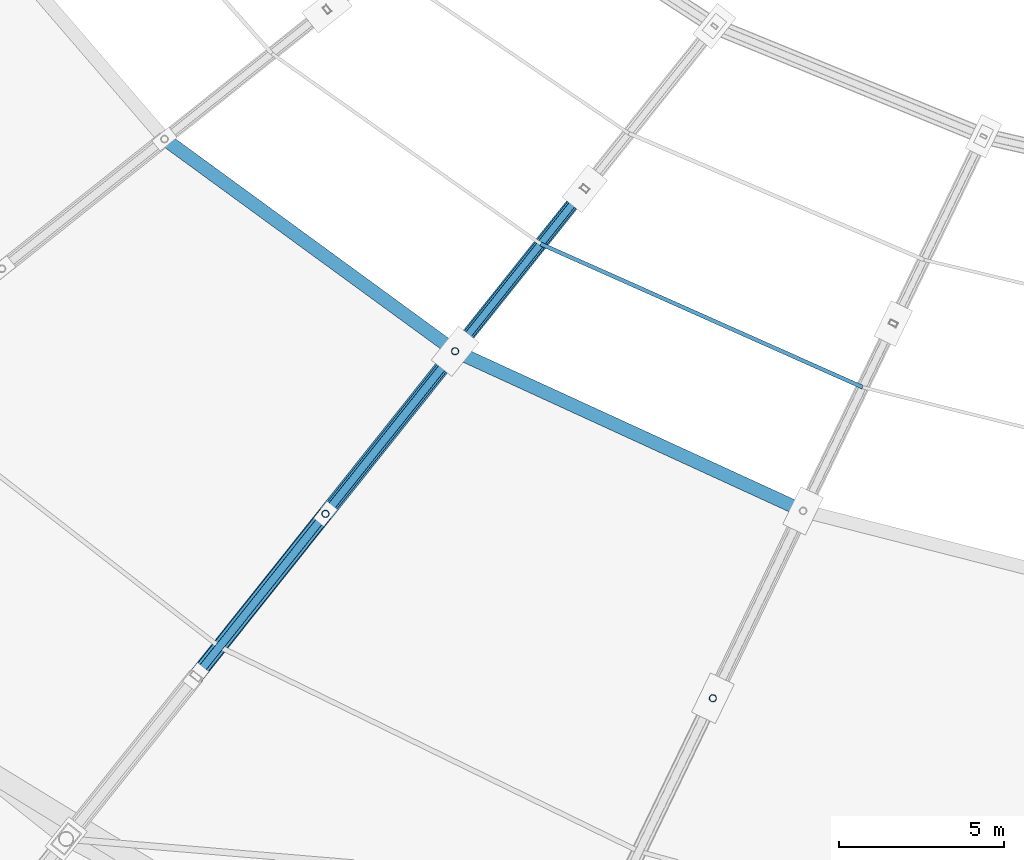
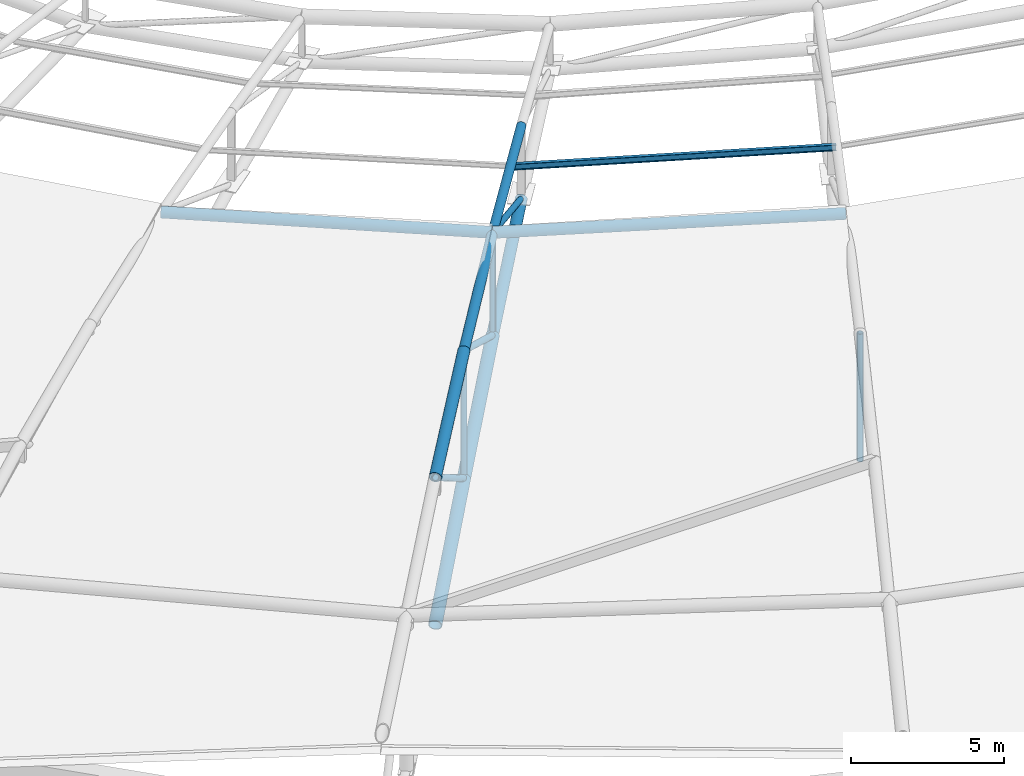
# One storey, part 10 of 108: 15 members.
"""IFC4 building model written with IfcOpenShell, lengths in metres."""

from ifc_helpers import new_model, si_unit, direction, frame, origin, origin_2d, place, context, subcontext, project, spatial, hollow_circle, i_section, extrude, material, material_profile, profile_set, type_object, element, save


model = new_model("IFC4")

# Units and contexts
model_context = context("Model", 3, precision=1e-05, world=origin(), true_north=direction((0.0, 1.0)))
body_context = subcontext(model_context, "Body", "Model", "MODEL_VIEW")
ifc_project = project(units=[si_unit("LENGTHUNIT", "METRE"), si_unit("AREAUNIT", "SQUARE_METRE"), si_unit("VOLUMEUNIT", "CUBIC_METRE"), si_unit("PLANEANGLEUNIT", "RADIAN"), si_unit("MASSUNIT", "GRAM", prefix="KILO")], contexts=[model_context])

# Site, building, storey
site_placement = place(None, origin())
site = spatial("IfcSite", under=ifc_project, at=site_placement, CompositionType="ELEMENT")
building_placement = place(site_placement, origin())
building = spatial("IfcBuilding", under=site, at=building_placement, Name="Zevraka Park Crest Stadium", CompositionType="ELEMENT")
storey_placement = place(building_placement, frame((0.0, 0.0, 29.39990234375)))
storey = spatial("IfcBuildingStorey", under=building, at=storey_placement, Name="RF", CompositionType="ELEMENT", Elevation=29.39990234375)

# Members
ifc_material_1 = material(Name="Steel S355", Category="steel")
ifc_material_profile_1 = material_profile(ifc_material_1, i_section(OverallWidth=0.1201171875, OverallDepth=0.239990234375, WebThickness=0.006103515625, FlangeThickness=0.009765625, at=origin_2d()), Name="IPE 240")
ifc_profile_set_1 = profile_set([ifc_material_profile_1], Name="Steel S355")
member_type_1 = type_object("IfcMemberType", Name="PR01", PredefinedType="PURLIN", material=ifc_profile_set_1)
member_1_placement = place(storey_placement, frame((79.926025390625, 63.509033203125, 9.153076171875), z_axis=(0.913569046429, -0.406683657658, 0.0), x_axis=(0.406683657658, 0.913569046429, 0.0)))
element("IfcMember", 1, at=member_1_placement, inside=storey, type_object=member_type_1, Name="Canopy Roof Purlin PR01 INNER-19-1", PredefinedType="PURLIN", context=body_context, shape_type="SweptSolid", body=[
    extrude(i_section(OverallWidth=0.1201171875, OverallDepth=0.239990234375, WebThickness=0.006103515625, FlangeThickness=0.009765625, at=origin_2d()), origin(), (0.0, 0.0, 1.0), 10.6767578125),
])
ifc_material_2 = material(Name="Steel S355", Category="steel")
ifc_material_profile_2 = material_profile(ifc_material_2, hollow_circle(Radius=0.228515625, WallThickness=0.02490234375, at=origin_2d()), Name="CHS 457.0x25")
ifc_profile_set_2 = profile_set([ifc_material_profile_2], Name="Steel S355")
member_type_2 = type_object("IfcMemberType", Name="TC02", PredefinedType="CHORD", material=ifc_profile_set_2)
member_2_placement = place(storey_placement, frame((69.47802734375, 50.406982421875, 2.4501953125), z_axis=(0.606568918372, 0.760539175233, 0.231634000527), x_axis=(-0.781801834506, 0.623526977414, 0.0)))
element("IfcMember", 2, at=member_2_placement, inside=storey, type_object=member_type_2, Name="Roof Truss Bottom Chord TC02 T19-4", PredefinedType="CHORD", context=body_context, shape_type="SweptSolid", body=[
    extrude(hollow_circle(Radius=0.228515625, WallThickness=0.02490234375, at=origin_2d()), origin(), (0.0, 0.0, 1.0), 6.475830078125),
])
member_3_placement = place(storey_placement, frame((73.406005859375, 55.33203125, 3.9501953125), z_axis=(0.609616801218, 0.764512287785, 0.209495387776), x_axis=(-0.781862092926, 0.623451415626, 0.0)))
element("IfcMember", 3, at=member_3_placement, inside=storey, type_object=member_type_2, Name="Roof Truss Bottom Chord TC02 T19-5", PredefinedType="CHORD", context=body_context, shape_type="SweptSolid", body=[
    extrude(hollow_circle(Radius=0.228515625, WallThickness=0.02490234375, at=origin_2d()), origin(), (0.0, 0.0, 1.0), 6.443359375),
])
ifc_material_3 = material(Name="Steel S355", Category="steel")
ifc_material_profile_3 = material_profile(ifc_material_3, hollow_circle(Radius=0.203125, WallThickness=0.02001953125, at=origin_2d()), Name="CHS 406.4x20")
ifc_profile_set_3 = profile_set([ifc_material_profile_3], Name="Steel S355")
member_type_3 = type_object("IfcMemberType", Name="TC03", PredefinedType="CHORD", material=ifc_profile_set_3)
member_4_placement = place(storey_placement, frame((69.47802734375, 50.406982421875, 8.35009765625), z_axis=(0.619713383644, 0.777020205622, 0.110430621599), x_axis=(-0.781801834506, 0.623526977414, 0.0)))
element("IfcMember", 4, at=member_4_placement, inside=storey, type_object=member_type_3, Name="Roof Truss Top Chord TC03 T19-4", PredefinedType="CHORD", context=body_context, shape_type="SweptSolid", body=[
    extrude(hollow_circle(Radius=0.203125, WallThickness=0.02001953125, at=origin_2d()), origin(), (0.0, 0.0, 1.0), 6.33837890625),
])
member_5_placement = place(storey_placement, frame((77.333984375, 60.258056640625, 5.300048828125), z_axis=(0.614231681473, 0.770147038993, 0.172026102102), x_axis=(-0.781801834506, 0.623526977414, 0.0)))
element("IfcMember", 5, at=member_5_placement, inside=storey, type_object=member_type_3, Name="Roof Truss Bottom Chord TC03 T19-6", PredefinedType="CHORD", context=body_context, shape_type="SweptSolid", body=[
    extrude(hollow_circle(Radius=0.203125, WallThickness=0.02001953125, at=origin_2d()), origin(), (0.0, 0.0, 1.0), 6.39501953125),
])
member_6_placement = place(storey_placement, frame((68.530029296875, 66.68603515625, 9.400146484375), z_axis=(0.807639312587, -0.589676810435, 0.0), x_axis=(0.589676810435, 0.807639312587, 0.0)))
element("IfcMember", 6, at=member_6_placement, inside=storey, type_object=member_type_3, Name="Roof Canopy Arch Crown Ring Chord TC03 18", PredefinedType="CHORD", context=body_context, shape_type="SweptSolid", body=[
    extrude(hollow_circle(Radius=0.203125, WallThickness=0.02001953125, at=origin_2d()), origin(), (0.0, 0.0, 1.0), 10.90087890625),
])
member_7_placement = place(storey_placement, frame((77.333984375, 60.258056640625, 9.400146484375), z_axis=(0.908888015597, -0.417040255976, 0.0), x_axis=(0.417040255976, 0.908888015597, 0.0)))
element("IfcMember", 7, at=member_7_placement, inside=storey, type_object=member_type_3, Name="Roof Canopy Arch Crown Ring Chord TC03 19", PredefinedType="CHORD", context=body_context, shape_type="SweptSolid", body=[
    extrude(hollow_circle(Radius=0.203125, WallThickness=0.02001953125, at=origin_2d()), origin(), (0.0, 0.0, 1.0), 11.598876953125),
])
ifc_material_4 = material(Name="Steel S355", Category="steel")
ifc_material_profile_4 = material_profile(ifc_material_4, hollow_circle(Radius=0.161865234375, WallThickness=0.01611328125, at=origin_2d()), Name="CHS 323.9x16")
ifc_profile_set_4 = profile_set([ifc_material_profile_4], Name="Steel S355")
member_type_4 = type_object("IfcMemberType", Name="TC04", PredefinedType="CHORD", material=ifc_profile_set_4)
member_8_placement = place(storey_placement, frame((77.333984375, 60.258056640625, 9.400146484375), z_axis=(0.623448279516, 0.781703160089, -0.015887488011), x_axis=(-0.781801834506, 0.623526977414, 0.0)))
element("IfcMember", 8, at=member_8_placement, inside=storey, type_object=member_type_4, Name="Roof Truss Top Chord TC04 T19-6", PredefinedType="CHORD", context=body_context, shape_type="SweptSolid", body=[
    extrude(hollow_circle(Radius=0.161865234375, WallThickness=0.01611328125, at=origin_2d()), origin(), (0.0, 0.0, 1.0), 6.30029296875),
])
ifc_material_5 = material(Name="Steel S355", Category="steel")
ifc_material_profile_5 = material_profile(ifc_material_5, hollow_circle(Radius=0.177734375, WallThickness=0.01611328125, at=origin_2d()), Name="CHS 355.6x16")
ifc_profile_set_5 = profile_set([ifc_material_profile_5], Name="Steel S355")
member_type_5 = type_object("IfcMemberType", Name="TC05", PredefinedType="CHORD", material=ifc_profile_set_5)
member_9_placement = place(storey_placement, frame((73.406005859375, 55.33203125, 9.050048828125), z_axis=(0.622491100613, 0.780657774695, 0.055482145458), x_axis=(-0.781862092926, 0.623451415626, 0.0)))
element("IfcMember", 9, at=member_9_placement, inside=storey, type_object=member_type_5, Name="Roof Truss Top Chord TC05 T19-5", PredefinedType="CHORD", context=body_context, shape_type="SweptSolid", body=[
    extrude(hollow_circle(Radius=0.177734375, WallThickness=0.01611328125, at=origin_2d()), origin(), (0.0, 0.0, 1.0), 6.31005859375),
])
ifc_material_6 = material(Name="Steel S355", Category="steel")
ifc_material_profile_6 = material_profile(ifc_material_6, hollow_circle(Radius=0.109619140625, WallThickness=0.010009765625, at=origin_2d()), Name="CHS 219.1x10")
ifc_profile_set_6 = profile_set([ifc_material_profile_6], Name="Steel S355")
member_type_6 = type_object("IfcMemberType", Name="WB02", PredefinedType="BRACE", material=ifc_profile_set_6)
member_10_placement = place(storey_placement, frame((73.406005859375, 55.33203125, 3.9501953125), z_axis=(0.0, 0.0, 1.0), x_axis=(0.623470308046, 0.781847027868, 0.0)))
element("IfcMember", 10, at=member_10_placement, inside=storey, type_object=member_type_6, Name="Roof Truss Web Post WB02 T19-4", PredefinedType="BRACE", context=body_context, shape_type="SweptSolid", body=[
    extrude(hollow_circle(Radius=0.109619140625, WallThickness=0.010009765625, at=origin_2d()), origin(), (0.0, 0.0, 1.0), 5.099853515625),
])
member_11_placement = place(storey_placement, frame((77.333984375, 60.258056640625, 5.300048828125), z_axis=(0.0, 0.0, 1.0), x_axis=(0.623470308046, 0.781847027868, 0.0)))
element("IfcMember", 11, at=member_11_placement, inside=storey, type_object=member_type_6, Name="Roof Truss Web Post WB02 T19-5", PredefinedType="BRACE", context=body_context, shape_type="SweptSolid", body=[
    extrude(hollow_circle(Radius=0.109619140625, WallThickness=0.010009765625, at=origin_2d()), origin(), (0.0, 0.0, 1.0), 4.10009765625),
])
member_12_placement = place(storey_placement, frame((81.261962890625, 65.18310546875, 6.400146484375), z_axis=(-0.562951494034, -0.705849990002, 0.429955122052), x_axis=(0.781801834506, -0.623526977414, 0.0)))
element("IfcMember", 12, at=member_12_placement, inside=storey, type_object=member_type_6, Name="Roof Truss Web Diagonal WB02 T19-6", PredefinedType="BRACE", context=body_context, shape_type="SweptSolid", body=[
    extrude(hollow_circle(Radius=0.109619140625, WallThickness=0.010009765625, at=origin_2d()), origin(), (0.0, 0.0, 1.0), 6.9775390625),
])
member_13_placement = place(storey_placement, frame((85.14306640625, 49.7451171875, 3.9501953125), z_axis=(0.0, 0.0, 1.0), x_axis=(0.43381634559, 0.90100131981, 0.0)))
element("IfcMember", 13, at=member_13_placement, inside=storey, type_object=member_type_6, Name="Roof Truss Web Post WB02 T20-4", PredefinedType="BRACE", context=body_context, shape_type="SweptSolid", body=[
    extrude(hollow_circle(Radius=0.109619140625, WallThickness=0.010009765625, at=origin_2d()), origin(), (0.0, 0.0, 1.0), 5.099853515625),
])
ifc_material_7 = material(Name="Steel S355", Category="steel")
ifc_material_profile_7 = material_profile(ifc_material_7, hollow_circle(Radius=0.122314453125, WallThickness=0.012451171875, at=origin_2d()), Name="CHS 244.5x12.5")
ifc_profile_set_7 = profile_set([ifc_material_profile_7], Name="Steel S355")
member_type_7 = type_object("IfcMemberType", Name="WB07", PredefinedType="BRACE", material=ifc_profile_set_7)
member_14_placement = place(storey_placement, frame((73.406005859375, 55.33203125, 3.9501953125), z_axis=(-0.511187534753, -0.64094636948, 0.572603751091), x_axis=(0.781801834506, -0.623526977414, 0.0)))
element("IfcMember", 14, at=member_14_placement, inside=storey, type_object=member_type_7, Name="Roof Truss Web Diagonal WB07 T19-4", PredefinedType="BRACE", context=body_context, shape_type="SweptSolid", body=[
    extrude(hollow_circle(Radius=0.122314453125, WallThickness=0.012451171875, at=origin_2d()), origin(), (0.0, 0.0, 1.0), 7.68408203125),
])
member_15_placement = place(storey_placement, frame((77.333984375, 60.258056640625, 5.300048828125), z_axis=(-0.535735735861, -0.671859030547, 0.511461302929), x_axis=(0.781862092926, -0.623451415626, 0.0)))
element("IfcMember", 15, at=member_15_placement, inside=storey, type_object=member_type_7, Name="Roof Truss Web Diagonal WB07 T19-5", PredefinedType="BRACE", context=body_context, shape_type="SweptSolid", body=[
    extrude(hollow_circle(Radius=0.122314453125, WallThickness=0.012451171875, at=origin_2d()), origin(), (0.0, 0.0, 1.0), 7.33203125),
])

save(model, "model.ifc")
